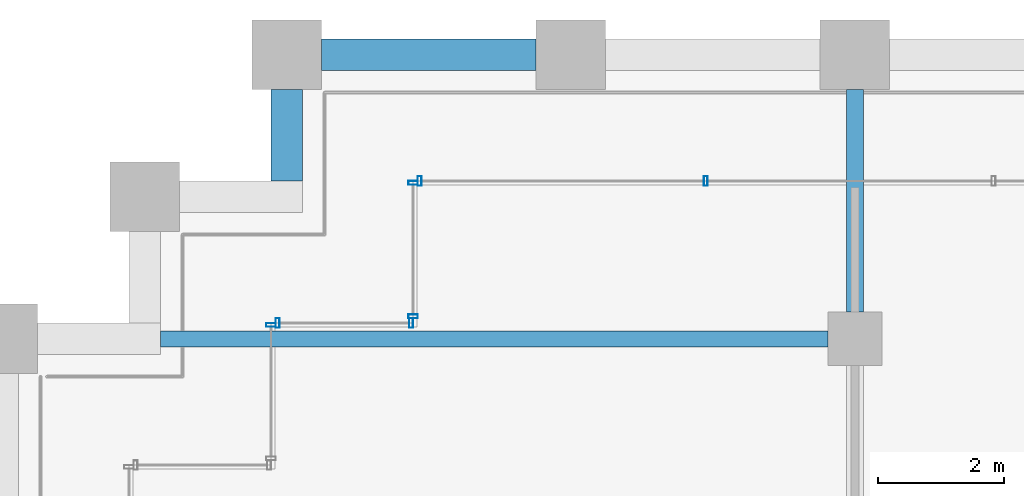
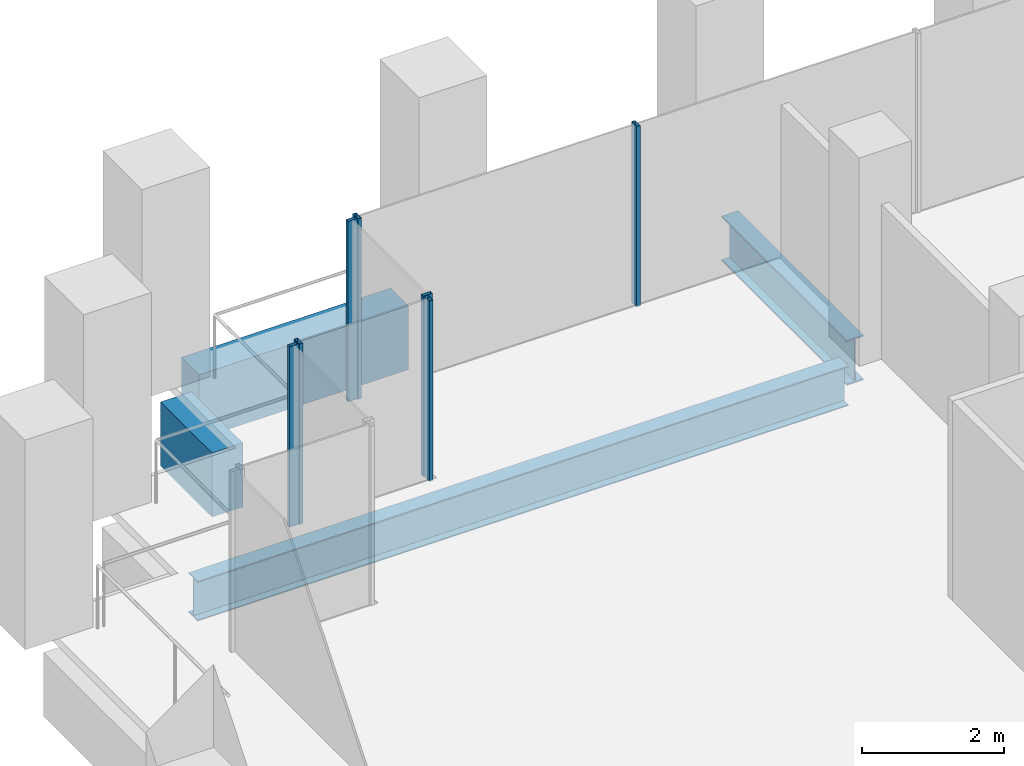
# One storey, part 26 of 54: 7 members, 4 beams, 4 elements without a shape of their own.
"""IFC4 building model written with IfcOpenShell, lengths in metres."""

from ifc_helpers import new_model, si_unit, direction, frame, origin, origin_2d, place, context, subcontext, project, spatial, rectangle, hollow_rectangle, i_section, extrude, material, material_profile, profile_set, type_object, element, aggregate, save


model = new_model("IFC4")

# Units and contexts
model_context = context("Model", 3, precision=1e-05, world=origin(), true_north=direction((0.0, 1.0)))
body_context = subcontext(model_context, "Body", "Model", "MODEL_VIEW")
ifc_project = project(units=[si_unit("LENGTHUNIT", "METRE"), si_unit("AREAUNIT", "SQUARE_METRE"), si_unit("VOLUMEUNIT", "CUBIC_METRE"), si_unit("PLANEANGLEUNIT", "RADIAN"), si_unit("MASSUNIT", "GRAM", prefix="KILO")], contexts=[model_context])

# Site, building, storey
site_placement = place(None, origin())
site = spatial("IfcSite", under=ifc_project, at=site_placement, CompositionType="ELEMENT")
building_placement = place(site_placement, origin())
building = spatial("IfcBuilding", under=site, at=building_placement, Name="Altepetl Exchange Towers", CompositionType="ELEMENT")
storey_placement = place(building_placement, frame((0.0, 0.0, 58.199951171875)))
storey = spatial("IfcBuildingStorey", under=building, at=storey_placement, Name="L13", CompositionType="ELEMENT", Elevation=58.199951171875)

# Beams
ifc_material_1 = material(Name="Steel S355", Category="steel")
ifc_material_profile_1 = material_profile(ifc_material_1, i_section(OverallWidth=0.25390625, OverallDepth=0.68408203125, WebThickness=0.012451171875, FlangeThickness=0.018798828125, at=origin_2d()), Name="W27X94")
ifc_profile_set_1 = profile_set([ifc_material_profile_1], Name="Steel S355")
beam_type_1 = type_object("IfcBeamType", Name="Floor beam W27X94", PredefinedType="BEAM", material=ifc_profile_set_1)
beam_1_placement = place(storey_placement, frame((29.5, 67.5, -0.491943359375), z_axis=(1.0, 0.0, 0.0), x_axis=(0.0, 1.0, 0.0)))
element("IfcBeam", 1, at=beam_1_placement, inside=storey, type_object=beam_type_1, Name="bm:A:L13:023", PredefinedType="BEAM", context=body_context, shape_type="SweptSolid", body=[
    extrude(i_section(OverallWidth=0.25390625, OverallDepth=0.68408203125, WebThickness=0.012451171875, FlangeThickness=0.018798828125, at=origin_2d()), origin(), (0.0, 0.0, 1.0), 10.574951171875),
])
ifc_material_profile_2 = material_profile(ifc_material_1, i_section(OverallWidth=0.26806640625, OverallDepth=0.77392578125, WebThickness=0.015380859375, FlangeThickness=0.025390625, at=origin_2d()), Name="W30X132")
ifc_profile_set_2 = profile_set([ifc_material_profile_2], Name="Steel S355")
beam_type_2 = type_object("IfcBeamType", Name="Girder W30X132", PredefinedType="BEAM", material=ifc_profile_set_2)
beam_2_placement = place(storey_placement, frame((40.5, 71.449951171875, -0.536865234375), z_axis=(0.0, -1.0, 0.0), x_axis=(1.0, 0.0, 0.0)))
element("IfcBeam", 2, at=beam_2_placement, inside=storey, type_object=beam_type_2, Name="gd:A:L13:003", PredefinedType="BEAM", context=body_context, shape_type="SweptSolid", body=[
    extrude(i_section(OverallWidth=0.26806640625, OverallDepth=0.77392578125, WebThickness=0.015380859375, FlangeThickness=0.025390625, at=origin_2d()), origin(), (0.0, 0.0, 1.0), 3.52490234375),
])

# Curtain wall, members
ifc_material_2 = material(Name="Aluminium 6063-T6 glazing", Category="aluminium")
curtain_wall_type = type_object("IfcCurtainWallType", Name="Loggia glazing system", PredefinedType="NOTDEFINED", material=ifc_material_2)
curtain_wall_1_placement = place(storey_placement, origin())
curtain_wall_1 = element("IfcCurtainWall", 3, at=curtain_wall_1_placement, inside=storey, type_object=curtain_wall_type, Name="CW1 run", PredefinedType="NOTDEFINED")
ifc_material_3 = material(Name="Aluminium 6063-T6", Category="aluminium")
ifc_material_profile_3 = material_profile(ifc_material_3, hollow_rectangle(XDim=0.06005859375, YDim=0.14990234375, WallThickness=0.0029296875, at=origin_2d()), Name="Mullion 60x150 aluminium")
ifc_profile_set_3 = profile_set([ifc_material_profile_3], Name="Aluminium 6063-T6")
member_type = type_object("IfcMemberType", Name="Mullion 60x150 aluminium", PredefinedType="MULLION", material=ifc_profile_set_3)
member_1_placement = place(storey_placement, frame((38.1357421875, 70.0, 0.0), z_axis=(0.0, 0.0, 1.0), x_axis=(-1.0, 0.0, 0.0)))
member_1 = element("IfcMember", 4, at=member_1_placement, type_object=member_type, Name="MU1 mullion", PredefinedType="MULLION", context=body_context, shape_type="SweptSolid", body=[
    extrude(hollow_rectangle(XDim=0.06005859375, YDim=0.14990234375, WallThickness=0.0029296875, at=origin_2d()), origin(), (0.0, 0.0, 1.0), 3.10009765625),
])
member_2_placement = place(storey_placement, frame((33.60498046875, 70.0, 0.0), z_axis=(0.0, 0.0, 1.0), x_axis=(-1.0, 0.0, 0.0)))
member_2 = element("IfcMember", 5, at=member_2_placement, type_object=member_type, Name="MU1 mullion", PredefinedType="MULLION", context=body_context, shape_type="SweptSolid", body=[
    extrude(hollow_rectangle(XDim=0.06005859375, YDim=0.14990234375, WallThickness=0.0029296875, at=origin_2d()), origin(), (0.0, 0.0, 1.0), 3.10009765625),
])
aggregate(curtain_wall_1, [member_1, member_2])

curtain_wall_2_placement = place(storey_placement, origin())
curtain_wall_2 = element("IfcCurtainWall", 6, at=curtain_wall_2_placement, inside=storey, type_object=curtain_wall_type, Name="CW1 run", PredefinedType="NOTDEFINED")
member_3_placement = place(storey_placement, frame((33.5, 69.969970703125, 0.0), z_axis=(0.0, 0.0, 1.0), x_axis=(0.0, -1.0, 0.0)))
member_3 = element("IfcMember", 7, at=member_3_placement, type_object=member_type, Name="MU1 mullion", PredefinedType="MULLION", context=body_context, shape_type="SweptSolid", body=[
    extrude(hollow_rectangle(XDim=0.06005859375, YDim=0.14990234375, WallThickness=0.0029296875, at=origin_2d()), origin(), (0.0, 0.0, 1.0), 3.10009765625),
])
member_4_placement = place(storey_placement, frame((33.5, 67.85498046875, 0.0), z_axis=(0.0, 0.0, 1.0), x_axis=(0.0, -1.0, 0.0)))
member_4 = element("IfcMember", 8, at=member_4_placement, type_object=member_type, Name="MU1 mullion", PredefinedType="MULLION", context=body_context, shape_type="SweptSolid", body=[
    extrude(hollow_rectangle(XDim=0.06005859375, YDim=0.14990234375, WallThickness=0.0029296875, at=origin_2d()), origin(), (0.0, 0.0, 1.0), 3.10009765625),
])
aggregate(curtain_wall_2, [member_3, member_4])

curtain_wall_3_placement = place(storey_placement, origin())
curtain_wall_3 = element("IfcCurtainWall", 9, at=curtain_wall_3_placement, inside=storey, type_object=curtain_wall_type, Name="CW1 run", PredefinedType="NOTDEFINED")
member_5_placement = place(storey_placement, frame((33.469970703125, 67.75, 0.0), z_axis=(0.0, 0.0, 1.0), x_axis=(-1.0, 0.0, 0.0)))
member_5 = element("IfcMember", 10, at=member_5_placement, type_object=member_type, Name="MU1 mullion", PredefinedType="MULLION", context=body_context, shape_type="SweptSolid", body=[
    extrude(hollow_rectangle(XDim=0.06005859375, YDim=0.14990234375, WallThickness=0.0029296875, at=origin_2d()), origin(), (0.0, 0.0, 1.0), 3.10009765625),
])
member_6_placement = place(storey_placement, frame((31.35498046875, 67.75, 0.0), z_axis=(0.0, 0.0, 1.0), x_axis=(-1.0, 0.0, 0.0)))
member_6 = element("IfcMember", 11, at=member_6_placement, type_object=member_type, Name="MU1 mullion", PredefinedType="MULLION", context=body_context, shape_type="SweptSolid", body=[
    extrude(hollow_rectangle(XDim=0.06005859375, YDim=0.14990234375, WallThickness=0.0029296875, at=origin_2d()), origin(), (0.0, 0.0, 1.0), 3.10009765625),
])
aggregate(curtain_wall_3, [member_5, member_6])

# Curtain wall, member
curtain_wall_4_placement = place(storey_placement, origin())
curtain_wall_4 = element("IfcCurtainWall", 12, at=curtain_wall_4_placement, inside=storey, type_object=curtain_wall_type, Name="CW1 run", PredefinedType="NOTDEFINED")
member_7_placement = place(storey_placement, frame((31.25, 67.719970703125, 0.0), z_axis=(0.0, 0.0, 1.0), x_axis=(0.0, -1.0, 0.0)))
member_7 = element("IfcMember", 13, at=member_7_placement, type_object=member_type, Name="MU1 mullion", PredefinedType="MULLION", context=body_context, shape_type="SweptSolid", body=[
    extrude(hollow_rectangle(XDim=0.06005859375, YDim=0.14990234375, WallThickness=0.0029296875, at=origin_2d()), origin(), (0.0, 0.0, 1.0), 3.10009765625),
])
aggregate(curtain_wall_4, [member_7])

# Beams
ifc_material_4 = material(Name="Concrete C50/60 precast with tezontle facing", Category="concrete")
ifc_material_profile_4 = material_profile(ifc_material_4, rectangle(XDim=0.5, YDim=1.10009765625, at=origin_2d()), Name="500 x 1100")
ifc_profile_set_4 = profile_set([ifc_material_profile_4], Name="Concrete C50/60 precast with tezontle facing")
beam_type_3 = type_object("IfcBeamType", Name="Spandrel beam 500x1100 tezontle", PredefinedType="SPANDREL", material=ifc_profile_set_4)
beam_3_placement = place(storey_placement, frame((35.449951171875, 72.0, -0.699951171875), z_axis=(-1.0, 0.0, 0.0), x_axis=(0.0, -1.0, 0.0)))
element("IfcBeam", 14, at=beam_3_placement, inside=storey, type_object=beam_type_3, Name="sp:A:L13:031", PredefinedType="SPANDREL", context=body_context, shape_type="SweptSolid", body=[
    extrude(rectangle(XDim=0.5, YDim=1.10009765625, at=origin_2d()), origin(), (0.0, 0.0, 1.0), 3.39990234375),
])
beam_4_placement = place(storey_placement, frame((31.5, 71.449951171875, -0.699951171875), z_axis=(0.0, -1.0, 0.0), x_axis=(1.0, 0.0, 0.0)))
element("IfcBeam", 15, at=beam_4_placement, inside=storey, type_object=beam_type_3, Name="sp:A:L13:032", PredefinedType="SPANDREL", context=body_context, shape_type="SweptSolid", body=[
    extrude(rectangle(XDim=0.5, YDim=1.10009765625, at=origin_2d()), origin(), (0.0, 0.0, 1.0), 1.449951171875),
])

save(model, "model.ifc")
